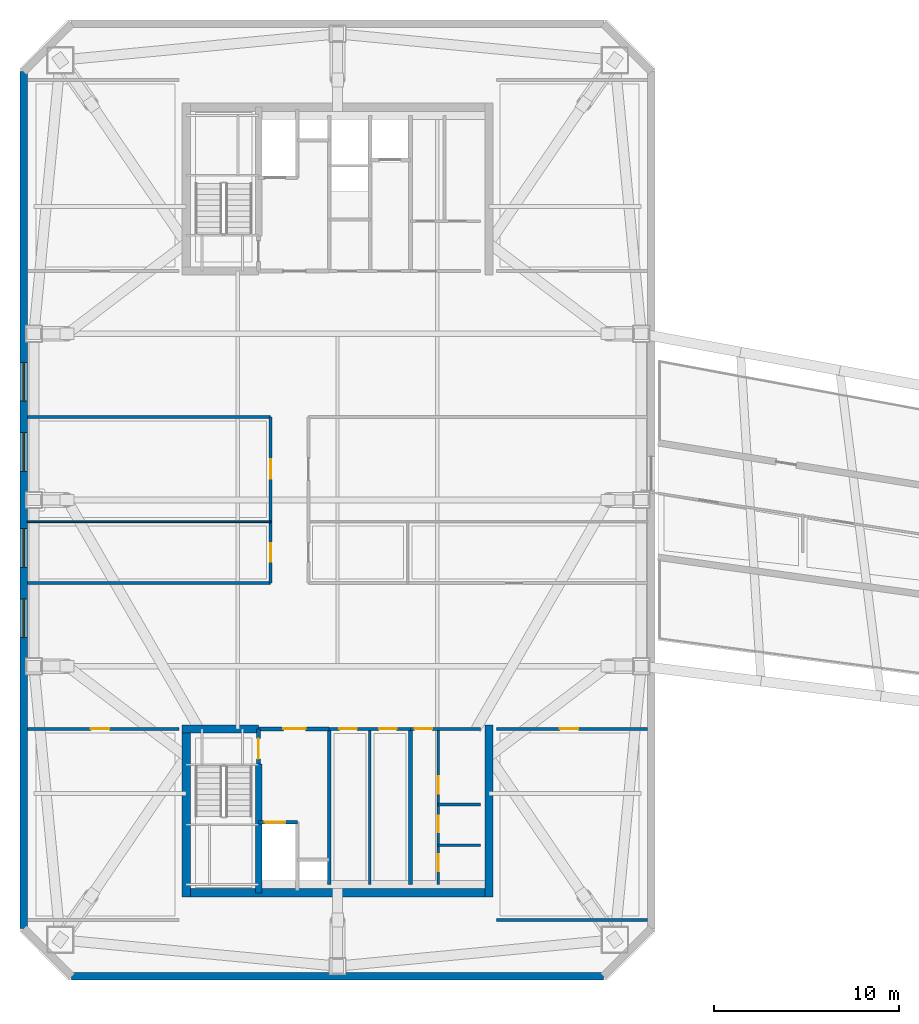
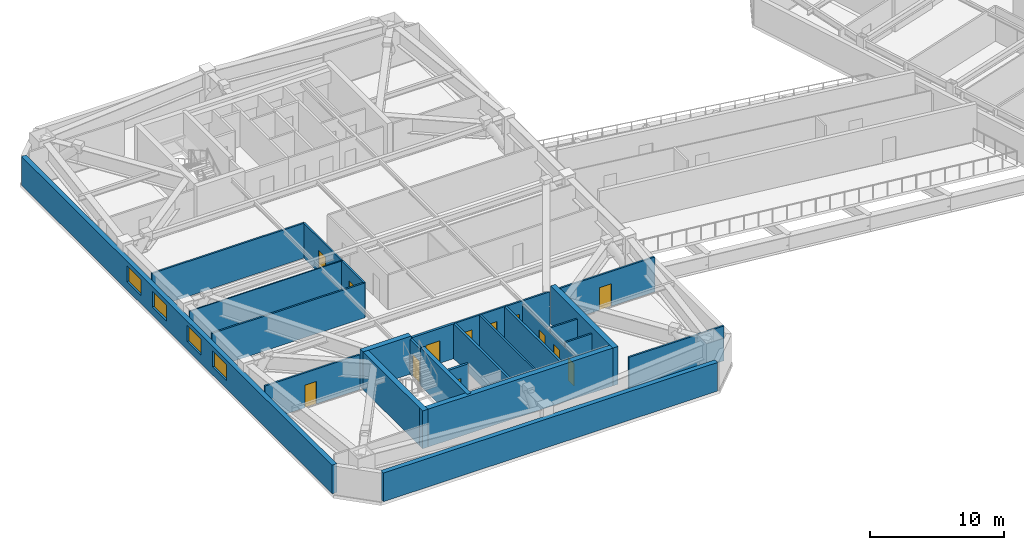
# One storey, part 6 of 18: 25 walls, 13 doors, 4 windows, 17 openings.
"""IFC4 building model written with IfcOpenShell, lengths in metres."""

from ifc_helpers import new_model, si_unit, direction, frame, frame_2d, origin, place, context, subcontext, project, spatial, rectangle, extrude, material, layer, layer_set, type_object, element, fill, save


model = new_model("IFC4")

# Units and contexts
model_context = context("Model", 3, precision=1e-05, world=origin(), true_north=direction((0.0, 1.0)))
body_context = subcontext(model_context, "Body", "Model", "MODEL_VIEW")
ifc_project = project(units=[si_unit("LENGTHUNIT", "METRE"), si_unit("AREAUNIT", "SQUARE_METRE"), si_unit("VOLUMEUNIT", "CUBIC_METRE"), si_unit("PLANEANGLEUNIT", "RADIAN"), si_unit("MASSUNIT", "GRAM", prefix="KILO")], contexts=[model_context])

# Site, building, storey
site_placement = place(None, origin())
site = spatial("IfcSite", under=ifc_project, at=site_placement, CompositionType="ELEMENT")
building_placement = place(site_placement, origin())
building = spatial("IfcBuilding", under=site, at=building_placement, Name="Qiaolan Cultural Towers", CompositionType="ELEMENT")
storey_placement = place(building_placement, frame((0.0, 0.0, 219.64990234375)))
storey = spatial("IfcBuildingStorey", under=building, at=storey_placement, Name="L59", CompositionType="ELEMENT", Elevation=219.64990234375)

# Walls
ifc_material_1 = material(Name="Concrete C50", Category="concrete")
ifc_layer_1 = layer(ifc_material_1, 0.35009765625)
ifc_layer_set_1 = layer_set([ifc_layer_1], Name="Concrete C50")
wall_type_1 = type_object("IfcWallType", Name="WL-CORE-350", PredefinedType="SHEAR", material=ifc_layer_set_1)
wall_1_placement = place(storey_placement, frame((25.719970703125, 19.699951171875, 0.0), z_axis=(0.0, 0.0, 1.0), x_axis=(0.0, -1.0, 0.0)))
element("IfcWall", 1, at=wall_1_placement, inside=storey, type_object=wall_type_1, Name="L59 T1-CS Stair Core Dividing Web", PredefinedType="SHEAR", context=body_context, shape_type="SweptSolid", body=[
    extrude(rectangle(XDim=6.97998046875, YDim=0.35009765625, at=frame_2d((3.489990234375, 0.0))), origin(), (0.0, 0.0, 1.0), 3.4501953125),
])
ifc_material_2 = material(Name="Concrete C50", Category="concrete")
ifc_layer_2 = layer(ifc_material_2, 0.449951171875)
ifc_layer_set_2 = layer_set([ifc_layer_2], Name="Concrete C50")
wall_type_2 = type_object("IfcWallType", Name="WL-CORE-450", PredefinedType="SHEAR", material=ifc_layer_set_2)
wall_2_placement = place(storey_placement, frame((21.574951171875, 12.719970703125, 0.0), z_axis=(0.0, 0.0, 1.0), x_axis=(1.0, 0.0, 0.0)))
element("IfcWall", 2, at=wall_2_placement, inside=storey, type_object=wall_type_2, Name="L59 T1-CS Outer Core Shear Wall", PredefinedType="SHEAR", context=body_context, shape_type="SweptSolid", body=[
    extrude(rectangle(XDim=16.85009765625, YDim=0.449951171875, at=frame_2d((8.425048828125, 0.0))), origin(), (0.0, 0.0, 1.0), 3.4501953125),
])
for number, where, z_axis, x_axis, name in (
    (3, (21.800048828125, 21.824951171875, 0.0), (0.0, 0.0, 1.0), (0.0, -1.0, 0.0), "L59 T1-CS West Core Shear Wall"),
    (4, (38.199951171875, 21.824951171875, 0.0), (0.0, 0.0, 1.0), (0.0, -1.0, 0.0), "L59 T1-CS East Core Shear Wall"),
):
    element("IfcWall", number, at=place(storey_placement, frame(where, z_axis=z_axis, x_axis=x_axis)), inside=storey, type_object=wall_type_2, Name=name, PredefinedType="SHEAR", context=body_context, shape_type="SweptSolid", body=[
        extrude(rectangle(XDim=9.329833984375, YDim=0.449951171875, at=frame_2d((4.6650390625, 0.0))), origin(), (0.0, 0.0, 1.0), 3.4501953125),
    ])
wall_3_placement = place(storey_placement, frame((21.574951171875, 21.60009765625, 0.0), z_axis=(0.0, 0.0, 1.0), x_axis=(1.0, 0.0, 0.0)))
element("IfcWall", 5, at=wall_3_placement, inside=storey, type_object=wall_type_2, Name="L59 T1-CS Stair Front Shear Wall", PredefinedType="SHEAR", context=body_context, shape_type="SweptSolid", body=[
    extrude(rectangle(XDim=4.14501953125, YDim=0.449951171875, at=frame_2d((2.072509765625, 0.0))), origin(), (0.0, 0.0, 1.0), 3.4501953125),
])

# Wall, openings, windows
ifc_material_3 = material(Name="Precast Concrete C50 Honed Stone Pier", Category="masonry")
ifc_layer_3 = layer(ifc_material_3, 0.39990234375)
ifc_layer_set_3 = layer_set([ifc_layer_3], Name="Precast Concrete C50 Honed Stone Pier")
wall_type_3 = type_object("IfcWallType", Name="WL-EXT-PIER-400", PredefinedType="SOLIDWALL", material=ifc_layer_set_3)
wall_4_placement = place(storey_placement, frame((13.0, 10.800048828125, 0.0), z_axis=(0.0, 0.0, 1.0), x_axis=(0.0, 1.0, 0.0)))
wall_4 = element("IfcWall", 6, at=wall_4_placement, inside=storey, type_object=wall_type_3, Name="L59 West Tower Precast Pier Facade Wall F1", PredefinedType="SOLIDWALL", context=body_context, shape_type="SweptSolid", body=[
    extrude(rectangle(XDim=46.39990234375, YDim=0.39990234375, at=frame_2d((23.199951171875, 0.0))), origin(), (0.0, 0.0, 1.0), 2.610107421875),
])
opening_1_placement = place(wall_4_placement, frame((15.75, 0.0, 0.75)))
opening_1 = element("IfcOpeningElement", 7, at=opening_1_placement, cuts=wall_4, Name="Opening W-05", PredefinedType="OPENING", context=body_context, shape_type="SweptSolid", body=[
    extrude(rectangle(XDim=2.10009765625, YDim=1.4599609375, at=frame_2d((1.050048828125, 0.72998046875))), frame((0.0, 0.2099609375, 0.0), z_axis=(0.0, -1.0, 0.0), x_axis=(1.0, 0.0, 0.0)), (0.0, 0.0, 1.0), 0.419921875),
])
opening_2_placement = place(wall_4_placement, frame((19.550048828125, 0.0, 0.75)))
opening_2 = element("IfcOpeningElement", 8, at=opening_2_placement, cuts=wall_4, Name="Opening W-05", PredefinedType="OPENING", context=body_context, shape_type="SweptSolid", body=[
    extrude(rectangle(XDim=2.10009765625, YDim=1.4599609375, at=frame_2d((1.050048828125, 0.72998046875))), frame((0.0, 0.2099609375, 0.0), z_axis=(0.0, -1.0, 0.0), x_axis=(1.0, 0.0, 0.0)), (0.0, 0.0, 1.0), 0.419921875),
])
opening_3_placement = place(wall_4_placement, frame((24.75, 0.0, 0.75)))
opening_3 = element("IfcOpeningElement", 9, at=opening_3_placement, cuts=wall_4, Name="Opening W-05", PredefinedType="OPENING", context=body_context, shape_type="SweptSolid", body=[
    extrude(rectangle(XDim=2.10009765625, YDim=1.4599609375, at=frame_2d((1.050048828125, 0.72998046875))), frame((0.0, 0.2099609375, 0.0), z_axis=(0.0, -1.0, 0.0), x_axis=(1.0, 0.0, 0.0)), (0.0, 0.0, 1.0), 0.419921875),
])
opening_4_placement = place(wall_4_placement, frame((28.550048828125, 0.0, 0.75)))
opening_4 = element("IfcOpeningElement", 10, at=opening_4_placement, cuts=wall_4, Name="Opening W-05", PredefinedType="OPENING", context=body_context, shape_type="SweptSolid", body=[
    extrude(rectangle(XDim=2.10009765625, YDim=1.4599609375, at=frame_2d((1.050048828125, 0.72998046875))), frame((0.0, 0.2099609375, 0.0), z_axis=(0.0, -1.0, 0.0), x_axis=(1.0, 0.0, 0.0)), (0.0, 0.0, 1.0), 0.419921875),
])
ifc_material_4 = material(Name="Thermally Broken Aluminium Triple Low-E Glazing", Category="aluminium")
window_type = type_object("IfcWindowType", Name="WN-CHIC-2100", PartitioningType="SINGLE_PANEL", PredefinedType="WINDOW", material=ifc_material_4)
window_1_placement = place(opening_1_placement, origin())
window_1 = element("IfcWindow", 11, at=window_1_placement, inside=storey, type_object=window_type, Name="L59 T1 W Chicago Bay Window 1", OverallHeight=1.4599609375, OverallWidth=2.10009765625, PartitioningType="TRIPLE_PANEL_VERTICAL", PredefinedType="WINDOW", context=body_context, shape_type="SweptSolid", body=[
    extrude(rectangle(XDim=2.10009765625, YDim=1.4599609375, at=frame_2d((1.050048828125, 0.72998046875))), frame((0.0, 0.030029296875, 0.0), z_axis=(0.0, -1.0, 0.0), x_axis=(1.0, 0.0, 0.0)), (0.0, 0.0, 1.0), 0.06005859375),
])
fill(opening_1, window_1)
window_2_placement = place(opening_2_placement, origin())
window_2 = element("IfcWindow", 12, at=window_2_placement, inside=storey, type_object=window_type, Name="L59 T1 W Chicago Bay Window 2", OverallHeight=1.4599609375, OverallWidth=2.10009765625, PartitioningType="TRIPLE_PANEL_VERTICAL", PredefinedType="WINDOW", context=body_context, shape_type="SweptSolid", body=[
    extrude(rectangle(XDim=2.10009765625, YDim=1.4599609375, at=frame_2d((1.050048828125, 0.72998046875))), frame((0.0, 0.030029296875, 0.0), z_axis=(0.0, -1.0, 0.0), x_axis=(1.0, 0.0, 0.0)), (0.0, 0.0, 1.0), 0.06005859375),
])
fill(opening_2, window_2)
window_3_placement = place(opening_3_placement, origin())
window_3 = element("IfcWindow", 13, at=window_3_placement, inside=storey, type_object=window_type, Name="L59 T1 W Chicago Bay Window 3", OverallHeight=1.4599609375, OverallWidth=2.10009765625, PartitioningType="TRIPLE_PANEL_VERTICAL", PredefinedType="WINDOW", context=body_context, shape_type="SweptSolid", body=[
    extrude(rectangle(XDim=2.10009765625, YDim=1.4599609375, at=frame_2d((1.050048828125, 0.72998046875))), frame((0.0, 0.030029296875, 0.0), z_axis=(0.0, -1.0, 0.0), x_axis=(1.0, 0.0, 0.0)), (0.0, 0.0, 1.0), 0.06005859375),
])
fill(opening_3, window_3)
window_4_placement = place(opening_4_placement, origin())
window_4 = element("IfcWindow", 14, at=window_4_placement, inside=storey, type_object=window_type, Name="L59 T1 W Chicago Bay Window 4", OverallHeight=1.4599609375, OverallWidth=2.10009765625, PartitioningType="TRIPLE_PANEL_VERTICAL", PredefinedType="WINDOW", context=body_context, shape_type="SweptSolid", body=[
    extrude(rectangle(XDim=2.10009765625, YDim=1.4599609375, at=frame_2d((1.050048828125, 0.72998046875))), frame((0.0, 0.030029296875, 0.0), z_axis=(0.0, -1.0, 0.0), x_axis=(1.0, 0.0, 0.0)), (0.0, 0.0, 1.0), 0.06005859375),
])
fill(opening_4, window_4)

# Wall
wall_5_placement = place(storey_placement, frame((44.39990234375, 8.199951171875, 0.0), z_axis=(0.0, 0.0, 1.0), x_axis=(-1.0, 0.0, 0.0)))
element("IfcWall", 15, at=wall_5_placement, inside=storey, type_object=wall_type_3, Name="L59 West Tower Precast Pier Facade Wall F7", PredefinedType="SOLIDWALL", context=body_context, shape_type="SweptSolid", body=[
    extrude(rectangle(XDim=28.7998046875, YDim=0.39990234375, at=frame_2d((14.39990234375, 0.0))), origin(), (0.0, 0.0, 1.0), 2.610107421875),
])

# Wall, opening, door
ifc_material_5 = material(Name="Concrete C35 Fire Wall", Category="concrete")
ifc_layer_4 = layer(ifc_material_5, 0.199951171875)
ifc_layer_set_4 = layer_set([ifc_layer_4], Name="Concrete C35 Fire Wall")
wall_type_4 = type_object("IfcWallType", Name="WL-FIRE-200", PredefinedType="PARTITIONING", material=ifc_layer_set_4)
wall_6_placement = place(storey_placement, frame((25.719970703125, 21.60009765625, 0.0), z_axis=(0.0, 0.0, 1.0), x_axis=(0.0, -1.0, 0.0)))
wall_6 = element("IfcWall", 16, at=wall_6_placement, inside=storey, type_object=wall_type_4, Name="L59 T1-CS Smokeproof Stair Entry Wall", PredefinedType="PARTITIONING", context=body_context, shape_type="SweptSolid", body=[
    extrude(rectangle(XDim=1.900146484375, YDim=0.199951171875, at=frame_2d((0.9501953125, 0.0))), origin(), (0.0, 0.0, 1.0), 3.175048828125),
])
opening_5_placement = place(wall_6_placement, frame((0.52001953125, 0.0, 0.0)))
opening_5 = element("IfcOpeningElement", 17, at=opening_5_placement, cuts=wall_6, Name="Opening FD-04", PredefinedType="OPENING", context=body_context, shape_type="SweptSolid", body=[
    extrude(rectangle(XDim=1.10009765625, YDim=2.050048828125, at=frame_2d((0.550048828125, 1.02490234375))), frame((0.0, 0.10986328125, 0.0), z_axis=(0.0, -1.0, 0.0), x_axis=(1.0, 0.0, 0.0)), (0.0, 0.0, 1.0), 0.219970703125),
])
ifc_material_6 = material(Name="Galvanized Steel Command Fire Door", Category="steel")
door_type_1 = type_object("IfcDoorType", Name="DR-FD90-1100", OperationType="NOTDEFINED", PredefinedType="DOOR", material=ifc_material_6)
door_1_placement = place(opening_5_placement, origin())
door_1 = element("IfcDoor", 18, at=door_1_placement, inside=storey, type_object=door_type_1, Name="L59 ST-W1 Smokeproof Stair Fire Door", OperationType="SINGLE_SWING_LEFT", OverallHeight=2.050048828125, OverallWidth=1.10009765625, PredefinedType="DOOR", context=body_context, shape_type="SweptSolid", body=[
    extrude(rectangle(XDim=1.10009765625, YDim=2.050048828125, at=frame_2d((0.550048828125, 1.02490234375))), frame((0.0, 0.02490234375, 0.0), z_axis=(0.0, -1.0, 0.0), x_axis=(1.0, 0.0, 0.0)), (0.0, 0.0, 1.0), 0.050048828125),
])
fill(opening_5, door_1)

# Wall
wall_7_placement = place(storey_placement, frame((29.550048828125, 21.60009765625, 0.0), z_axis=(0.0, 0.0, 1.0), x_axis=(0.0, -1.0, 0.0)))
element("IfcWall", 19, at=wall_7_placement, inside=storey, type_object=wall_type_4, Name="L59 T1-CS Firefighting Zone Wall", PredefinedType="PARTITIONING", context=body_context, shape_type="SweptSolid", body=[
    extrude(rectangle(XDim=8.43017578125, YDim=0.199951171875, at=frame_2d((4.215087890625, 0.0))), origin(), (0.0, 0.0, 1.0), 3.175048828125),
])

# Wall, opening, door
wall_8_placement = place(storey_placement, frame((25.719970703125, 21.60009765625, 0.0), z_axis=(0.0, 0.0, 1.0), x_axis=(1.0, 0.0, 0.0)))
wall_8 = element("IfcWall", 20, at=wall_8_placement, inside=storey, type_object=wall_type_4, Name="L59 T1-CS Firefighting Lobby Front Wall", PredefinedType="PARTITIONING", context=body_context, shape_type="SweptSolid", body=[
    extrude(rectangle(XDim=3.830078125, YDim=0.199951171875, at=frame_2d((1.9150390625, 0.0))), origin(), (0.0, 0.0, 1.0), 3.175048828125),
])
opening_6_placement = place(wall_8_placement, frame((1.35009765625, 0.0, 0.0)))
opening_6 = element("IfcOpeningElement", 21, at=opening_6_placement, cuts=wall_8, Name="Opening FD-03", PredefinedType="OPENING", context=body_context, shape_type="SweptSolid", body=[
    extrude(rectangle(XDim=1.199951171875, YDim=2.050048828125, at=frame_2d((0.60009765625, 1.02490234375))), frame((0.0, 0.10986328125, 0.0), z_axis=(0.0, -1.0, 0.0), x_axis=(1.0, 0.0, 0.0)), (0.0, 0.0, 1.0), 0.219970703125),
])
ifc_material_7 = material(Name="Galvanized Steel Smokeproof Lobby Fire Door", Category="steel")
door_type_2 = type_object("IfcDoorType", Name="DR-FD90-1200", OperationType="NOTDEFINED", PredefinedType="DOOR", material=ifc_material_7)
door_2_placement = place(opening_6_placement, origin())
door_2 = element("IfcDoor", 22, at=door_2_placement, inside=storey, type_object=door_type_2, Name="L59 FFL-W1 Firefighting Lobby Fire Door", OperationType="SINGLE_SWING_LEFT", OverallHeight=2.050048828125, OverallWidth=1.199951171875, PredefinedType="DOOR", context=body_context, shape_type="SweptSolid", body=[
    extrude(rectangle(XDim=1.199951171875, YDim=2.050048828125, at=frame_2d((0.60009765625, 1.02490234375))), frame((0.0, 0.02490234375, 0.0), z_axis=(0.0, -1.0, 0.0), x_axis=(1.0, 0.0, 0.0)), (0.0, 0.0, 1.0), 0.050048828125),
])
fill(opening_6, door_2)

wall_9_placement = place(storey_placement, frame((25.719970703125, 16.550048828125, 0.0), z_axis=(0.0, 0.0, 1.0), x_axis=(1.0, 0.0, 0.0)))
wall_9 = element("IfcWall", 23, at=wall_9_placement, inside=storey, type_object=wall_type_4, Name="L59 T1-CS Firefighting Shaft Front Wall", PredefinedType="PARTITIONING", context=body_context, shape_type="SweptSolid", body=[
    extrude(rectangle(XDim=2.10009765625, YDim=0.199951171875, at=frame_2d((1.050048828125, 0.0))), origin(), (0.0, 0.0, 1.0), 3.175048828125),
])
opening_7_placement = place(wall_9_placement, frame((0.35009765625, 0.0, 0.0)))
opening_7 = element("IfcOpeningElement", 24, at=opening_7_placement, cuts=wall_9, Name="Opening LD-01", PredefinedType="OPENING", context=body_context, shape_type="SweptSolid", body=[
    extrude(rectangle(XDim=1.10009765625, YDim=2.050048828125, at=frame_2d((0.550048828125, 1.02490234375))), frame((0.0, 0.10986328125, 0.0), z_axis=(0.0, -1.0, 0.0), x_axis=(1.0, 0.0, 0.0)), (0.0, 0.0, 1.0), 0.219970703125),
])
ifc_material_8 = material(Name="Brushed Stainless Steel S30408 Centre-Parting Lift Landing Door", Category="steel")
door_type_3 = type_object("IfcDoorType", Name="DR-LIFT-1100", OperationType="NOTDEFINED", PredefinedType="DOOR", material=ifc_material_8)
door_3_placement = place(opening_7_placement, origin())
door_3 = element("IfcDoor", 25, at=door_3_placement, inside=storey, type_object=door_type_3, Name="L59 FFL-W1 Firefighting Lift Landing Door", OperationType="DOUBLE_DOOR_SLIDING", OverallHeight=2.050048828125, OverallWidth=1.10009765625, PredefinedType="DOOR", context=body_context, shape_type="SweptSolid", body=[
    extrude(rectangle(XDim=1.10009765625, YDim=2.050048828125, at=frame_2d((0.550048828125, 1.02490234375))), frame((0.0, 0.02490234375, 0.0), z_axis=(0.0, -1.0, 0.0), x_axis=(1.0, 0.0, 0.0)), (0.0, 0.0, 1.0), 0.050048828125),
])
fill(opening_7, door_3)

# Walls
wall_10_placement = place(storey_placement, frame((33.949951171875, 21.60009765625, 0.0), z_axis=(0.0, 0.0, 1.0), x_axis=(0.0, -1.0, 0.0)))
element("IfcWall", 26, at=wall_10_placement, inside=storey, type_object=wall_type_4, Name="L59 T1-CS Lift Core East Wall", PredefinedType="PARTITIONING", context=body_context, shape_type="SweptSolid", body=[
    extrude(rectangle(XDim=8.43017578125, YDim=0.199951171875, at=frame_2d((4.215087890625, 0.0))), origin(), (0.0, 0.0, 1.0), 3.175048828125),
])
ifc_material_9 = material(Name="Acoustic Double-Glazed Partition Frame", Category="glass")
ifc_layer_5 = layer(ifc_material_9, 0.10009765625)
ifc_layer_set_5 = layer_set([ifc_layer_5], Name="Acoustic Double-Glazed Partition Frame")
wall_type_5 = type_object("IfcWallType", Name="WL-GLAZED-100", PredefinedType="MOVABLE", material=ifc_layer_set_5)
wall_11_placement = place(storey_placement, frame((13.199951171875, 32.820068359375, 0.0), z_axis=(0.0, 0.0, 1.0), x_axis=(1.0, 0.0, 0.0)))
element("IfcWall", 27, at=wall_11_placement, inside=storey, type_object=wall_type_5, Name="L59 T1 Interior Wall", PredefinedType="MOVABLE", context=body_context, shape_type="SweptSolid", body=[
    extrude(rectangle(XDim=13.175048828125, YDim=0.10009765625, at=frame_2d((6.58740234375, 0.0))), origin(), (0.0, 0.0, 1.0), 3.175048828125),
])

# Wall, openings, doors
ifc_material_10 = material(Name="Autoclaved Aerated Concrete Block B06", Category="concrete")
ifc_layer_6 = layer(ifc_material_10, 0.14990234375)
ifc_layer_set_6 = layer_set([ifc_layer_6], Name="Autoclaved Aerated Concrete Block B06")
wall_type_6 = type_object("IfcWallType", Name="WL-PART-150", PredefinedType="PARTITIONING", material=ifc_layer_set_6)
wall_12_placement = place(storey_placement, frame((29.550048828125, 21.60009765625, 0.0), z_axis=(0.0, 0.0, 1.0), x_axis=(1.0, 0.0, 0.0)))
wall_12 = element("IfcWall", 28, at=wall_12_placement, inside=storey, type_object=wall_type_6, Name="L59 T1-CS Reclaimed Core Room Front Wall", PredefinedType="PARTITIONING", context=body_context, shape_type="SweptSolid", body=[
    extrude(rectangle(XDim=4.39990234375, YDim=0.14990234375, at=frame_2d((2.199951171875, 0.0))), origin(), (0.0, 0.0, 1.0), 3.175048828125),
])
opening_8_placement = place(wall_12_placement, frame((0.550048828125, 0.0, 0.0)))
opening_8 = element("IfcOpeningElement", 29, at=opening_8_placement, cuts=wall_12, Name="Opening ID-05", PredefinedType="OPENING", context=body_context, shape_type="SweptSolid", body=[
    extrude(rectangle(XDim=0.949951171875, YDim=2.050048828125, at=frame_2d((0.47509765625, 1.02490234375))), frame((0.0, 0.0849609375, 0.0), z_axis=(0.0, -1.0, 0.0), x_axis=(1.0, 0.0, 0.0)), (0.0, 0.0, 1.0), 0.169921875),
])
opening_9_placement = place(wall_12_placement, frame((2.699951171875, 0.0, 0.0)))
opening_9 = element("IfcOpeningElement", 30, at=opening_9_placement, cuts=wall_12, Name="Opening ID-05", PredefinedType="OPENING", context=body_context, shape_type="SweptSolid", body=[
    extrude(rectangle(XDim=0.949951171875, YDim=2.050048828125, at=frame_2d((0.47509765625, 1.02490234375))), frame((0.0, 0.0849609375, 0.0), z_axis=(0.0, -1.0, 0.0), x_axis=(1.0, 0.0, 0.0)), (0.0, 0.0, 1.0), 0.169921875),
])
ifc_material_11 = material(Name="Fire-Rated Laminate Accessible Core Door", Category="timber")
door_type_4 = type_object("IfcDoorType", Name="DR-INT-950", OperationType="NOTDEFINED", PredefinedType="DOOR", material=ifc_material_11)
door_4_placement = place(opening_8_placement, origin())
door_4 = element("IfcDoor", 31, at=door_4_placement, inside=storey, type_object=door_type_4, Name="L59 Copy Print Room Door", OperationType="SINGLE_SWING_LEFT", OverallHeight=2.050048828125, OverallWidth=0.949951171875, PredefinedType="DOOR", context=body_context, shape_type="SweptSolid", body=[
    extrude(rectangle(XDim=0.949951171875, YDim=2.050048828125, at=frame_2d((0.47509765625, 1.02490234375))), frame((0.0, 0.02490234375, 0.0), z_axis=(0.0, -1.0, 0.0), x_axis=(1.0, 0.0, 0.0)), (0.0, 0.0, 1.0), 0.050048828125),
])
fill(opening_8, door_4)
door_5_placement = place(opening_9_placement, origin())
door_5 = element("IfcDoor", 32, at=door_5_placement, inside=storey, type_object=door_type_4, Name="L59 Tea Pantry Room Door", OperationType="SINGLE_SWING_RIGHT", OverallHeight=2.050048828125, OverallWidth=0.949951171875, PredefinedType="DOOR", context=body_context, shape_type="SweptSolid", body=[
    extrude(rectangle(XDim=0.949951171875, YDim=2.050048828125, at=frame_2d((0.47509765625, 1.02490234375))), frame((0.0, 0.02490234375, 0.0), z_axis=(0.0, -1.0, 0.0), x_axis=(1.0, 0.0, 0.0)), (0.0, 0.0, 1.0), 0.050048828125),
])
fill(opening_9, door_5)

# Wall
wall_13_placement = place(storey_placement, frame((31.75, 21.60009765625, 0.0), z_axis=(0.0, 0.0, 1.0), x_axis=(0.0, -1.0, 0.0)))
element("IfcWall", 33, at=wall_13_placement, inside=storey, type_object=wall_type_6, Name="L59 T1-CS Reclaimed Twin Room Wall", PredefinedType="PARTITIONING", context=body_context, shape_type="SweptSolid", body=[
    extrude(rectangle(XDim=8.43017578125, YDim=0.14990234375, at=frame_2d((4.215087890625, 0.0))), origin(), (0.0, 0.0, 1.0), 3.175048828125),
])

# Wall, opening, door
wall_14_placement = place(storey_placement, frame((33.949951171875, 21.60009765625, 0.0), z_axis=(0.0, 0.0, 1.0), x_axis=(1.0, 0.0, 0.0)))
wall_14 = element("IfcWall", 34, at=wall_14_placement, inside=storey, type_object=wall_type_6, Name="L59 T1-CS Sanitary Core Front Wall", PredefinedType="PARTITIONING", context=body_context, shape_type="SweptSolid", body=[
    extrude(rectangle(XDim=3.800048828125, YDim=0.14990234375, at=frame_2d((1.89990234375, 0.0))), origin(), (0.0, 0.0, 1.0), 3.175048828125),
])
opening_10_placement = place(wall_14_placement, frame((0.219970703125, 0.0, 0.0)))
opening_10 = element("IfcOpeningElement", 35, at=opening_10_placement, cuts=wall_14, Name="Opening ID-05", PredefinedType="OPENING", context=body_context, shape_type="SweptSolid", body=[
    extrude(rectangle(XDim=0.949951171875, YDim=2.050048828125, at=frame_2d((0.47509765625, 1.02490234375))), frame((0.0, 0.0849609375, 0.0), z_axis=(0.0, -1.0, 0.0), x_axis=(1.0, 0.0, 0.0)), (0.0, 0.0, 1.0), 0.169921875),
])
door_6_placement = place(opening_10_placement, origin())
door_6 = element("IfcDoor", 36, at=door_6_placement, inside=storey, type_object=door_type_4, Name="L59 Sanitary Vestibule Door", OperationType="SINGLE_SWING_LEFT", OverallHeight=2.050048828125, OverallWidth=0.949951171875, PredefinedType="DOOR", context=body_context, shape_type="SweptSolid", body=[
    extrude(rectangle(XDim=0.949951171875, YDim=2.050048828125, at=frame_2d((0.47509765625, 1.02490234375))), frame((0.0, 0.02490234375, 0.0), z_axis=(0.0, -1.0, 0.0), x_axis=(1.0, 0.0, 0.0)), (0.0, 0.0, 1.0), 0.050048828125),
])
fill(opening_10, door_6)

# Wall, openings, doors
wall_15_placement = place(storey_placement, frame((35.449951171875, 21.60009765625, 0.0), z_axis=(0.0, 0.0, 1.0), x_axis=(0.0, -1.0, 0.0)))
wall_15 = element("IfcWall", 37, at=wall_15_placement, inside=storey, type_object=wall_type_6, Name="L59 T1-CS Sanitary Vestibule Wall", PredefinedType="PARTITIONING", context=body_context, shape_type="SweptSolid", body=[
    extrude(rectangle(XDim=8.43017578125, YDim=0.14990234375, at=frame_2d((4.215087890625, 0.0))), origin(), (0.0, 0.0, 1.0), 2.815185546875),
])
opening_11_placement = place(wall_15_placement, frame((2.550048828125, 0.0, 0.0)))
opening_11 = element("IfcOpeningElement", 38, at=opening_11_placement, cuts=wall_15, Name="Opening ID-05", PredefinedType="OPENING", context=body_context, shape_type="SweptSolid", body=[
    extrude(rectangle(XDim=0.949951171875, YDim=2.050048828125, at=frame_2d((0.47509765625, 1.02490234375))), frame((0.0, 0.0849609375, 0.0), z_axis=(0.0, -1.0, 0.0), x_axis=(1.0, 0.0, 0.0)), (0.0, 0.0, 1.0), 0.169921875),
])
opening_12_placement = place(wall_15_placement, frame((4.699951171875, 0.0, 0.0)))
opening_12 = element("IfcOpeningElement", 39, at=opening_12_placement, cuts=wall_15, Name="Opening ID-06", PredefinedType="OPENING", context=body_context, shape_type="SweptSolid", body=[
    extrude(rectangle(XDim=0.89990234375, YDim=2.050048828125, at=frame_2d((0.449951171875, 1.02490234375))), frame((0.0, 0.0849609375, 0.0), z_axis=(0.0, -1.0, 0.0), x_axis=(1.0, 0.0, 0.0)), (0.0, 0.0, 1.0), 0.169921875),
])
opening_13_placement = place(wall_15_placement, frame((6.800048828125, 0.0, 0.0)))
opening_13 = element("IfcOpeningElement", 40, at=opening_13_placement, cuts=wall_15, Name="Opening ID-06", PredefinedType="OPENING", context=body_context, shape_type="SweptSolid", body=[
    extrude(rectangle(XDim=0.89990234375, YDim=2.050048828125, at=frame_2d((0.449951171875, 1.02490234375))), frame((0.0, 0.0849609375, 0.0), z_axis=(0.0, -1.0, 0.0), x_axis=(1.0, 0.0, 0.0)), (0.0, 0.0, 1.0), 0.169921875),
])
ifc_material_12 = material(Name="Fire-Rated Laminate Core Service Door", Category="timber")
door_type_5 = type_object("IfcDoorType", Name="DR-INT-900", OperationType="NOTDEFINED", PredefinedType="DOOR", material=ifc_material_12)
door_7_placement = place(opening_12_placement, origin())
door_7 = element("IfcDoor", 41, at=door_7_placement, inside=storey, type_object=door_type_5, Name="L59 Men Washroom Door", OperationType="SINGLE_SWING_LEFT", OverallHeight=2.050048828125, OverallWidth=0.89990234375, PredefinedType="DOOR", context=body_context, shape_type="SweptSolid", body=[
    extrude(rectangle(XDim=0.89990234375, YDim=2.050048828125, at=frame_2d((0.449951171875, 1.02490234375))), frame((0.0, 0.02490234375, 0.0), z_axis=(0.0, -1.0, 0.0), x_axis=(1.0, 0.0, 0.0)), (0.0, 0.0, 1.0), 0.050048828125),
])
fill(opening_12, door_7)
door_8_placement = place(opening_13_placement, origin())
door_8 = element("IfcDoor", 42, at=door_8_placement, inside=storey, type_object=door_type_5, Name="L59 Women Washroom Door", OperationType="SINGLE_SWING_RIGHT", OverallHeight=2.050048828125, OverallWidth=0.89990234375, PredefinedType="DOOR", context=body_context, shape_type="SweptSolid", body=[
    extrude(rectangle(XDim=0.89990234375, YDim=2.050048828125, at=frame_2d((0.449951171875, 1.02490234375))), frame((0.0, 0.02490234375, 0.0), z_axis=(0.0, -1.0, 0.0), x_axis=(1.0, 0.0, 0.0)), (0.0, 0.0, 1.0), 0.050048828125),
])
fill(opening_13, door_8)
door_9_placement = place(opening_11_placement, origin())
door_9 = element("IfcDoor", 43, at=door_9_placement, inside=storey, type_object=door_type_4, Name="L59 Accessible Family Washroom Door", OperationType="SINGLE_SWING_LEFT", OverallHeight=2.050048828125, OverallWidth=0.949951171875, PredefinedType="DOOR", context=body_context, shape_type="SweptSolid", body=[
    extrude(rectangle(XDim=0.949951171875, YDim=2.050048828125, at=frame_2d((0.47509765625, 1.02490234375))), frame((0.0, 0.02490234375, 0.0), z_axis=(0.0, -1.0, 0.0), x_axis=(1.0, 0.0, 0.0)), (0.0, 0.0, 1.0), 0.050048828125),
])
fill(opening_11, door_9)

# Walls
for number, where, z_axis, x_axis, name in (
    (44, (35.449951171875, 17.5, 0.0), (0.0, 0.0, 1.0), (1.0, 0.0, 0.0), "L59 T1-CS Restroom Split Wall 1"),
    (45, (35.449951171875, 15.300048828125, 0.0), (0.0, 0.0, 1.0), (1.0, 0.0, 0.0), "L59 T1-CS Restroom Split Wall 2"),
):
    element("IfcWall", number, at=place(storey_placement, frame(where, z_axis=z_axis, x_axis=x_axis)), inside=storey, type_object=wall_type_6, Name=name, PredefinedType="PARTITIONING", context=body_context, shape_type="SweptSolid", body=[
        extrude(rectangle(XDim=2.300048828125, YDim=0.14990234375, at=frame_2d((1.14990234375, 0.0))), origin(), (0.0, 0.0, 1.0), 3.175048828125),
    ])

# Wall, opening, door
wall_16_placement = place(storey_placement, frame((13.199951171875, 21.60009765625, 0.0), z_axis=(0.0, 0.0, 1.0), x_axis=(1.0, 0.0, 0.0)))
wall_16 = element("IfcWall", 46, at=wall_16_placement, inside=storey, type_object=wall_type_6, Name="L59 T1 Flank Front FLK-SW", PredefinedType="PARTITIONING", context=body_context, shape_type="SweptSolid", body=[
    extrude(rectangle(XDim=8.199951171875, YDim=0.14990234375, at=frame_2d((4.10009765625, 0.0))), origin(), (0.0, 0.0, 1.0), 3.175048828125),
])
opening_14_placement = place(wall_16_placement, frame((3.444091796875, 0.0, 0.0)))
opening_14 = element("IfcOpeningElement", 47, at=opening_14_placement, cuts=wall_16, Name="Opening ID-04", PredefinedType="OPENING", context=body_context, shape_type="SweptSolid", body=[
    extrude(rectangle(XDim=1.0, YDim=2.050048828125, at=frame_2d((0.5, 1.02490234375))), frame((0.0, 0.0849609375, 0.0), z_axis=(0.0, -1.0, 0.0), x_axis=(1.0, 0.0, 0.0)), (0.0, 0.0, 1.0), 0.169921875),
])
ifc_material_13 = material(Name="Oak Veneer Acoustic Office Door", Category="timber")
door_type_6 = type_object("IfcDoorType", Name="DR-INT-1000", OperationType="NOTDEFINED", PredefinedType="DOOR", material=ifc_material_13)
door_10_placement = place(opening_14_placement, origin())
door_10 = element("IfcDoor", 48, at=door_10_placement, inside=storey, type_object=door_type_6, Name="L59 T1 Corner Studio Door", OperationType="SINGLE_SWING_LEFT", OverallHeight=2.050048828125, OverallWidth=1.0, PredefinedType="DOOR", context=body_context, shape_type="SweptSolid", body=[
    extrude(rectangle(XDim=1.0, YDim=2.050048828125, at=frame_2d((0.5, 1.02490234375))), frame((0.0, 0.02490234375, 0.0), z_axis=(0.0, -1.0, 0.0), x_axis=(1.0, 0.0, 0.0)), (0.0, 0.0, 1.0), 0.050048828125),
])
fill(opening_14, door_10)

# Wall
wall_17_placement = place(storey_placement, frame((38.60009765625, 11.25, 0.0), z_axis=(0.0, 0.0, 1.0), x_axis=(1.0, 0.0, 0.0)))
element("IfcWall", 49, at=wall_17_placement, inside=storey, type_object=wall_type_6, Name="L59 T1 Flank Wall FLK-SE", PredefinedType="PARTITIONING", context=body_context, shape_type="SweptSolid", body=[
    extrude(rectangle(XDim=8.199951171875, YDim=0.14990234375, at=frame_2d((4.10009765625, 0.0))), origin(), (0.0, 0.0, 1.0), 3.175048828125),
])

# Wall, opening, door
wall_18_placement = place(storey_placement, frame((38.60009765625, 21.60009765625, 0.0), z_axis=(0.0, 0.0, 1.0), x_axis=(1.0, 0.0, 0.0)))
wall_18 = element("IfcWall", 50, at=wall_18_placement, inside=storey, type_object=wall_type_6, Name="L59 T1 Flank Front FLK-SE", PredefinedType="PARTITIONING", context=body_context, shape_type="SweptSolid", body=[
    extrude(rectangle(XDim=8.199951171875, YDim=0.14990234375, at=frame_2d((4.10009765625, 0.0))), origin(), (0.0, 0.0, 1.0), 3.175048828125),
])
opening_15_placement = place(wall_18_placement, frame((3.444091796875, 0.0, 0.0)))
opening_15 = element("IfcOpeningElement", 51, at=opening_15_placement, cuts=wall_18, Name="Opening ID-04", PredefinedType="OPENING", context=body_context, shape_type="SweptSolid", body=[
    extrude(rectangle(XDim=1.0, YDim=2.050048828125, at=frame_2d((0.5, 1.02490234375))), frame((0.0, 0.0849609375, 0.0), z_axis=(0.0, -1.0, 0.0), x_axis=(1.0, 0.0, 0.0)), (0.0, 0.0, 1.0), 0.169921875),
])
door_11_placement = place(opening_15_placement, origin())
door_11 = element("IfcDoor", 52, at=door_11_placement, inside=storey, type_object=door_type_6, Name="L59 T1 Corner Studio Door", OperationType="SINGLE_SWING_LEFT", OverallHeight=2.050048828125, OverallWidth=1.0, PredefinedType="DOOR", context=body_context, shape_type="SweptSolid", body=[
    extrude(rectangle(XDim=1.0, YDim=2.050048828125, at=frame_2d((0.5, 1.02490234375))), frame((0.0, 0.02490234375, 0.0), z_axis=(0.0, -1.0, 0.0), x_axis=(1.0, 0.0, 0.0)), (0.0, 0.0, 1.0), 0.050048828125),
])
fill(opening_15, door_11)

# Walls
for number, where, z_axis, x_axis, name in (
    (53, (13.199951171875, 29.5, 0.0), (0.0, 0.0, 1.0), (1.0, 0.0, 0.0), "L59 T1 South Foyer West Wall"),
    (54, (13.199951171875, 38.5, 0.0), (0.0, 0.0, 1.0), (1.0, 0.0, 0.0), "L59 T1 North Foyer West Wall"),
):
    element("IfcWall", number, at=place(storey_placement, frame(where, z_axis=z_axis, x_axis=x_axis)), inside=storey, type_object=wall_type_6, Name=name, PredefinedType="PARTITIONING", context=body_context, shape_type="SweptSolid", body=[
        extrude(rectangle(XDim=13.175048828125, YDim=0.14990234375, at=frame_2d((6.58740234375, 0.0))), origin(), (0.0, 0.0, 1.0), 3.175048828125),
    ])

# Wall, openings, doors
wall_19_placement = place(storey_placement, frame((26.375, 29.5, 0.0), z_axis=(0.0, 0.0, 1.0), x_axis=(0.0, 1.0, 0.0)))
wall_19 = element("IfcWall", 55, at=wall_19_placement, inside=storey, type_object=wall_type_6, Name="L59 T1 Central Spine West Wall", PredefinedType="PARTITIONING", context=body_context, shape_type="SweptSolid", body=[
    extrude(rectangle(XDim=9.0, YDim=0.14990234375, at=frame_2d((4.5, 0.0))), origin(), (0.0, 0.0, 1.0), 3.175048828125),
])
opening_16_placement = place(wall_19_placement, frame((1.159912109375, 0.0, 0.0)))
opening_16 = element("IfcOpeningElement", 56, at=opening_16_placement, cuts=wall_19, Name="Opening ID-04", PredefinedType="OPENING", context=body_context, shape_type="SweptSolid", body=[
    extrude(rectangle(XDim=1.0, YDim=2.050048828125, at=frame_2d((0.5, 1.02490234375))), frame((0.0, 0.0849609375, 0.0), z_axis=(0.0, -1.0, 0.0), x_axis=(1.0, 0.0, 0.0)), (0.0, 0.0, 1.0), 0.169921875),
])
opening_17_placement = place(wall_19_placement, frame((5.659912109375, 0.0, 0.0)))
opening_17 = element("IfcOpeningElement", 57, at=opening_17_placement, cuts=wall_19, Name="Opening ID-07", PredefinedType="OPENING", context=body_context, shape_type="SweptSolid", body=[
    extrude(rectangle(XDim=1.050048828125, YDim=2.050048828125, at=frame_2d((0.52490234375, 1.02490234375))), frame((0.0, 0.0849609375, 0.0), z_axis=(0.0, -1.0, 0.0), x_axis=(1.0, 0.0, 0.0)), (0.0, 0.0, 1.0), 0.169921875),
])
door_12_placement = place(opening_16_placement, origin())
door_12 = element("IfcDoor", 58, at=door_12_placement, inside=storey, type_object=door_type_6, Name="L59 T1 Sky Park Cultural Salon Door", OperationType="SINGLE_SWING_LEFT", OverallHeight=2.050048828125, OverallWidth=1.0, PredefinedType="DOOR", context=body_context, shape_type="SweptSolid", body=[
    extrude(rectangle(XDim=1.0, YDim=2.050048828125, at=frame_2d((0.5, 1.02490234375))), frame((0.0, 0.02490234375, 0.0), z_axis=(0.0, -1.0, 0.0), x_axis=(1.0, 0.0, 0.0)), (0.0, 0.0, 1.0), 0.050048828125),
])
fill(opening_16, door_12)
ifc_material_14 = material(Name="Oak Veneer Consultation Door", Category="timber")
door_type_7 = type_object("IfcDoorType", Name="DR-INT-1050", OperationType="NOTDEFINED", PredefinedType="DOOR", material=ifc_material_14)
door_13_placement = place(opening_17_placement, origin())
door_13 = element("IfcDoor", 59, at=door_13_placement, inside=storey, type_object=door_type_7, Name="L59 T1 Botanical Lounge Door", OperationType="SINGLE_SWING_RIGHT", OverallHeight=2.050048828125, OverallWidth=1.050048828125, PredefinedType="DOOR", context=body_context, shape_type="SweptSolid", body=[
    extrude(rectangle(XDim=1.050048828125, YDim=2.050048828125, at=frame_2d((0.52490234375, 1.02490234375))), frame((0.0, 0.02490234375, 0.0), z_axis=(0.0, -1.0, 0.0), x_axis=(1.0, 0.0, 0.0)), (0.0, 0.0, 1.0), 0.050048828125),
])
fill(opening_17, door_13)

save(model, "model.ifc")
